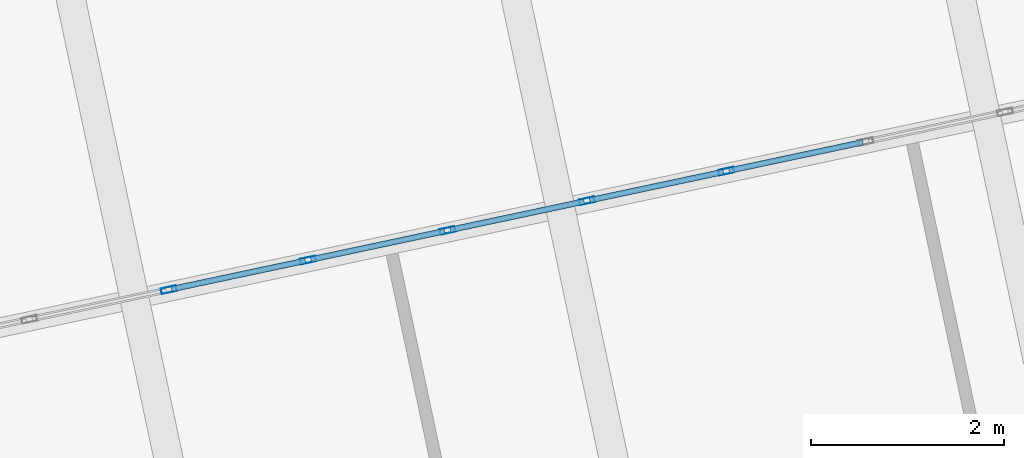
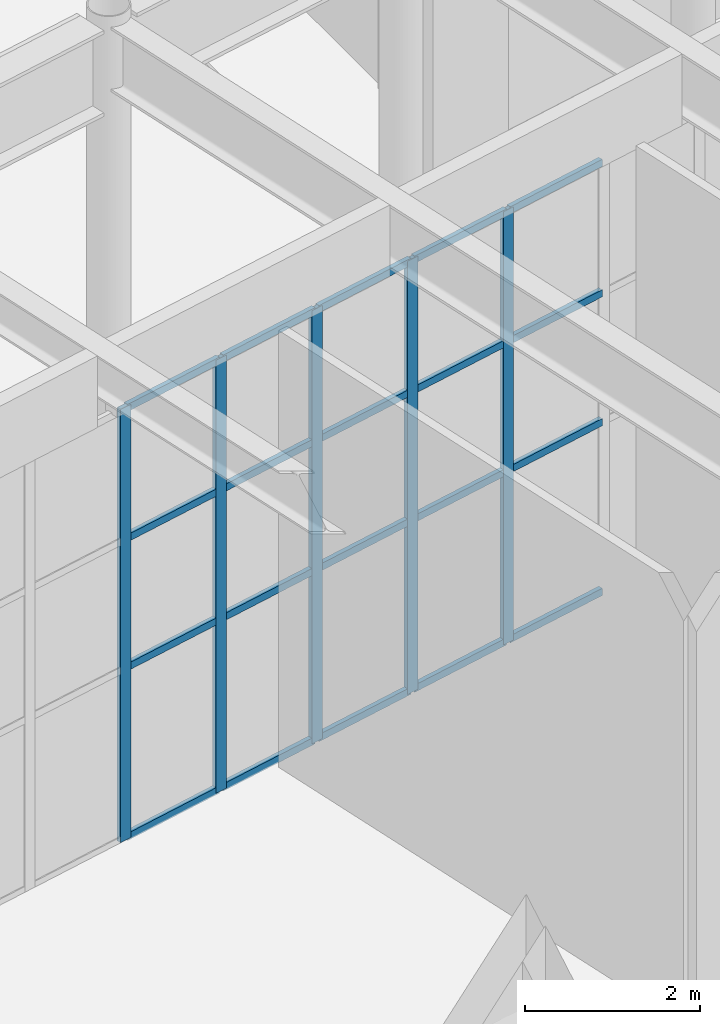
# One storey, part 87 of 239: 25 members, 1 element without a shape of its own.
"""IFC4 building model written with IfcOpenShell, lengths in metres."""

import ifcopenshell
import ifcopenshell.guid

model = None  # the IFC model being written
_history = None  # IfcOwnerHistory: only IFC2X3 demands one
_inside = {}  # id of a spatial element -> (the spatial element, [elements in it])
_under = {}  # id of a project, library or spatial element -> (it, [spatial elements below it])
_declared = {}  # id of a project -> (the project, [libraries it declares])
_typed = {}  # id of a type object -> (the type object, [elements of that type])
_made_of = {}  # id of a material, layer set ... -> (it, [elements and type objects made of it])


def new_model(schema):
    """Start an empty IFC model of exactly this schema.

    Asked for "IFC4X3", IfcOpenShell would pick the latest addendum, in which some entities
    have other attributes; the version numbers below select the first issue.
    IFC2X3 requires an IfcOwnerHistory on every rooted entity: one is made here for all.
    """
    global model, _history
    if schema == "IFC4X3":
        model = ifcopenshell.file(schema_version=(4, 3, 0, 0))
    else:
        model = ifcopenshell.file(schema=schema)
    _inside.clear()
    _under.clear()
    _declared.clear()
    _typed.clear()
    _made_of.clear()
    _history = None
    if model.schema == "IFC2X3":
        org = make("IfcOrganization", Name="unknown")
        user = make(
            "IfcPersonAndOrganization",
            ThePerson=make("IfcPerson", FamilyName="unknown"),
            TheOrganization=org,
        )
        app = make(
            "IfcApplication",
            ApplicationDeveloper=org,
            Version="unknown",
            ApplicationFullName="unknown",
            ApplicationIdentifier="unknown",
        )
        _history = make(
            "IfcOwnerHistory",
            OwningUser=user,
            OwningApplication=app,
            ChangeAction="ADDED",
            CreationDate=0,
        )
    return model


def make(cls, **values):
    """One entity of the class cls with the attributes given. An attribute that is None is left unset."""
    return model.create_entity(
        cls, **{name: value for name, value in values.items() if value is not None}
    )


def rooted(cls, **values):
    """An entity with a GlobalId (a new one), such as an element, a storey or a relation."""
    return make(cls, GlobalId=ifcopenshell.guid.new(), OwnerHistory=_history, **values)


def si_unit(unit_type, name, prefix=None):
    """IfcSIUnit, for example si_unit("LENGTHUNIT", "METRE", prefix="MILLI")."""
    return make("IfcSIUnit", UnitType=unit_type, Prefix=prefix, Name=name)


def assignment(units):
    """IfcUnitAssignment: the units of a project."""
    return None if units is None else make("IfcUnitAssignment", Units=units)


def point(xyz):
    """IfcCartesianPoint."""
    return None if xyz is None else make("IfcCartesianPoint", Coordinates=xyz)


def direction(xyz):
    """IfcDirection."""
    return None if xyz is None else make("IfcDirection", DirectionRatios=xyz)


def frame(location, z_axis=None, x_axis=None):
    """IfcAxis2Placement3D, a coordinate frame: its origin and axes. An axis left out is left unset."""
    return make(
        "IfcAxis2Placement3D",
        Location=point(location),
        Axis=direction(z_axis),
        RefDirection=direction(x_axis),
    )


def frame_2d(location, x_axis=None):
    """IfcAxis2Placement2D, a coordinate frame in the plane: its origin and x axis."""
    return make(
        "IfcAxis2Placement2D", Location=point(location), RefDirection=direction(x_axis)
    )


def origin():
    """The frame at (0, 0, 0) with its axes left unset."""
    return frame((0.0, 0.0, 0.0))


def origin_2d():
    """The frame at (0, 0) in the plane with its x axis left unset."""
    return frame_2d((0.0, 0.0))


def place(relative_to, where):
    """IfcLocalPlacement: puts the frame where relative to a parent placement (None: the world)."""
    return make(
        "IfcLocalPlacement", PlacementRelTo=relative_to, RelativePlacement=where
    )


def context(
    kind, dimensions, precision=None, world=None, true_north=None, identifier=None
):
    """IfcGeometricRepresentationContext, for example the 3D "Model" context."""
    return make(
        "IfcGeometricRepresentationContext",
        ContextIdentifier=identifier,
        ContextType=kind,
        CoordinateSpaceDimension=dimensions,
        Precision=precision,
        WorldCoordinateSystem=world,
        TrueNorth=true_north,
    )


def subcontext(parent, identifier, kind, view, scale=None):
    """IfcGeometricRepresentationSubContext, for example "Body" below "Model"."""
    return make(
        "IfcGeometricRepresentationSubContext",
        ContextIdentifier=identifier,
        ContextType=kind,
        ParentContext=parent,
        TargetScale=scale,
        TargetView=view,
    )


def project(units=None, contexts=None):
    """IfcProject with its units and contexts."""
    return rooted(
        "IfcProject",
        Name="project",
        RepresentationContexts=contexts,
        UnitsInContext=assignment(units),
    )


def spatial(cls, under=None, at=None, **own):
    """A site, building, storey or space (cls), placed at a placement, below another one or the project."""
    s = rooted(cls, ObjectPlacement=at, **own)
    if under is not None:
        _under.setdefault(under.id(), (under, []))[1].append(s)
    return s


def profile(cls, at=None, kind="AREA", **sizes):
    """A parametric profile (cls). Its sizes go by their IFC names, for example OverallWidth=200.0."""
    return make(cls, ProfileType=kind, Position=at, **sizes)


def hollow_rectangle(**sizes):
    """IfcRectangleHollowProfileDef."""
    return profile("IfcRectangleHollowProfileDef", **sizes)


def extrude(swept, where, along, depth):
    """IfcExtrudedAreaSolid: the profile swept, set in the frame where, extruded along a direction by depth."""
    return make(
        "IfcExtrudedAreaSolid",
        SweptArea=swept,
        Position=where,
        ExtrudedDirection=direction(along),
        Depth=depth,
    )


def shape(context_of_items, identifier, shape_type, items):
    """IfcShapeRepresentation: the items that make up one representation, for example the "Body"."""
    return make(
        "IfcShapeRepresentation",
        ContextOfItems=context_of_items,
        RepresentationIdentifier=identifier,
        RepresentationType=shape_type,
        Items=items,
    )


def material(Name=None, Category=None):
    """IfcMaterial."""
    return make("IfcMaterial", Name=Name, Category=Category)


def material_profile(
    of_material, cross_section, Name=None, Category=None, Priority=None
):
    """IfcMaterialProfile: a cross section and its material."""
    return make(
        "IfcMaterialProfile",
        Name=Name,
        Material=of_material,
        Profile=cross_section,
        Priority=Priority,
        Category=Category,
    )


def profile_set(profiles, Name=None, composite=None):
    """IfcMaterialProfileSet."""
    return make(
        "IfcMaterialProfileSet",
        Name=Name,
        MaterialProfiles=profiles,
        CompositeProfile=composite,
    )


def made_of(thing, what):
    """Note that an element or type object is made of a material, layer set ...; save() writes the relation."""
    if what is not None:
        _made_of.setdefault(what.id(), (what, []))[1].append(thing)
    return thing


def type_object(cls, material=None, **own):
    """A type object (cls), such as IfcWallType, which elements share."""
    return made_of(rooted(cls, **own), material)


def element(
    cls,
    number,
    at=None,
    inside=None,
    cuts=None,
    type_object=None,
    material=None,
    context=None,
    identifier="Body",
    shape_type=None,
    held_by="IfcProductDefinitionShape",
    body=None,
    shapes=None,
    **own,
):
    """One element of the class cls, such as IfcWall. Its Tag is "e" and its number.

    at: its placement. inside: the storey or other place that contains it. cuts: it is an
    opening in that element (IfcRelVoidsElement). A single representation is given by context,
    identifier, shape_type and body (its items); several are given by shapes. held_by: the class
    of the entity that holds the representations. save() writes the other relations.
    """
    e = rooted(cls, Tag="e%d" % number, ObjectPlacement=at, **own)
    if body is not None:
        shapes = [shape(context, identifier, shape_type, body)]
    if shapes is not None:
        e.Representation = make(held_by, Representations=shapes)
    if inside is not None:
        _inside.setdefault(inside.id(), (inside, []))[1].append(e)
    if cuts is not None:
        rooted(
            "IfcRelVoidsElement", RelatingBuildingElement=cuts, RelatedOpeningElement=e
        )
    if type_object is not None:
        _typed.setdefault(type_object.id(), (type_object, []))[1].append(e)
    return made_of(e, material)


def aggregate(whole, parts):
    """IfcRelAggregates: a whole, such as a stair, and the parts it consists of."""
    return rooted("IfcRelAggregates", RelatingObject=whole, RelatedObjects=parts)


def save(model, path):
    """Write the relations noted so far, then the file.

    IfcRelAggregates (storeys below a building ...), IfcRelContainedInSpatialStructure (elements
    in a storey), IfcRelDefinesByType, IfcRelAssociatesMaterial and IfcRelDeclares: one each for
    every whole, place, type object, material and project.
    """
    for whole, parts in _under.values():
        aggregate(whole, parts)
    for where, things in _inside.values():
        rooted(
            "IfcRelContainedInSpatialStructure",
            RelatedElements=things,
            RelatingStructure=where,
        )
    for kind, things in _typed.values():
        rooted("IfcRelDefinesByType", RelatedObjects=things, RelatingType=kind)
    for what, things in _made_of.values():
        rooted("IfcRelAssociatesMaterial", RelatedObjects=things, RelatingMaterial=what)
    for by, libraries in _declared.values():
        rooted("IfcRelDeclares", RelatingContext=by, RelatedDefinitions=libraries)
    model.write(path)


model = new_model("IFC4")

# Units and contexts
model_context = context("Model", 3, precision=1e-05, world=origin(), true_north=direction((0.0, 1.0)))
body_context = subcontext(model_context, "Body", "Model", "MODEL_VIEW")
ifc_project = project(units=[si_unit("LENGTHUNIT", "METRE"), si_unit("AREAUNIT", "SQUARE_METRE"), si_unit("VOLUMEUNIT", "CUBIC_METRE"), si_unit("PLANEANGLEUNIT", "RADIAN"), si_unit("MASSUNIT", "GRAM", prefix="KILO")], contexts=[model_context])

# Site, building, storey
site_placement = place(None, origin())
site = spatial("IfcSite", under=ifc_project, at=site_placement, CompositionType="ELEMENT")
building_placement = place(site_placement, origin())
building = spatial("IfcBuilding", under=site, at=building_placement, Name="Okhra Congress Centre", CompositionType="ELEMENT")
storey_placement = place(building_placement, origin())
storey = spatial("IfcBuildingStorey", under=building, at=storey_placement, Name="L00", CompositionType="ELEMENT", Elevation=0.0)

# Curtain wall, members
ifc_material_1 = material(Name="Aluminium curtain wall, triple glazing", Category="aluminium")
curtain_wall_type = type_object("IfcCurtainWallType", Name="Curtain wall 1500 module", PredefinedType="NOTDEFINED", material=ifc_material_1)
curtain_wall_placement = place(storey_placement, origin())
curtain_wall = element("IfcCurtainWall", 1, at=curtain_wall_placement, inside=storey, type_object=curtain_wall_type, Name="Ground curtain wall N9", PredefinedType="NOTDEFINED")
ifc_material_2 = material(Name="Aluminium alloy EN AW-6063 T66", Category="aluminium")
ifc_material_profile_1 = material_profile(ifc_material_2, hollow_rectangle(XDim=0.06005859375, YDim=0.159912109375, WallThickness=0.00390625, at=origin_2d()), Name="RHS 60x160x4")
ifc_profile_set_1 = profile_set([ifc_material_profile_1], Name="Aluminium alloy EN AW-6063 T66")
member_type_1 = type_object("IfcMemberType", Name="Curtain wall mullion 60x160", PredefinedType="MULLION", material=ifc_profile_set_1)
member_1_placement = place(storey_placement, frame((145.4208984375, 64.32373046875, 0.0), z_axis=(0.0, 0.0, 1.0), x_axis=(-0.207911690818, 0.978147600734, 0.0)))
member_1 = element("IfcMember", 2, at=member_1_placement, type_object=member_type_1, Name="CW7 mullion 6", PredefinedType="MULLION", context=body_context, shape_type="SweptSolid", body=[
    extrude(hollow_rectangle(XDim=0.06005859375, YDim=0.159912109375, WallThickness=0.00390625, at=origin_2d()), origin(), (0.0, 0.0, 1.0), 6.050048828125),
])
member_2_placement = place(storey_placement, frame((146.861572265625, 64.630126953125, 0.0), z_axis=(0.0, 0.0, 1.0), x_axis=(-0.207911690818, 0.978147600734, 0.0)))
member_2 = element("IfcMember", 3, at=member_2_placement, type_object=member_type_1, Name="CW7 mullion 7", PredefinedType="MULLION", context=body_context, shape_type="SweptSolid", body=[
    extrude(hollow_rectangle(XDim=0.06005859375, YDim=0.159912109375, WallThickness=0.00390625, at=origin_2d()), origin(), (0.0, 0.0, 1.0), 6.050048828125),
])
member_3_placement = place(storey_placement, frame((148.302490234375, 64.936279296875, 0.0), z_axis=(0.0, 0.0, 1.0), x_axis=(-0.207911690818, 0.978147600734, 0.0)))
member_3 = element("IfcMember", 4, at=member_3_placement, type_object=member_type_1, Name="CW7 mullion 8", PredefinedType="MULLION", context=body_context, shape_type="SweptSolid", body=[
    extrude(hollow_rectangle(XDim=0.06005859375, YDim=0.159912109375, WallThickness=0.00390625, at=origin_2d()), origin(), (0.0, 0.0, 1.0), 6.050048828125),
])
member_4_placement = place(storey_placement, frame((149.7431640625, 65.24267578125, 0.0), z_axis=(0.0, 0.0, 1.0), x_axis=(-0.207911690818, 0.978147600734, 0.0)))
member_4 = element("IfcMember", 5, at=member_4_placement, type_object=member_type_1, Name="CW7 mullion 9", PredefinedType="MULLION", context=body_context, shape_type="SweptSolid", body=[
    extrude(hollow_rectangle(XDim=0.06005859375, YDim=0.159912109375, WallThickness=0.00390625, at=origin_2d()), origin(), (0.0, 0.0, 1.0), 6.050048828125),
])
member_5_placement = place(storey_placement, frame((151.18408203125, 65.548828125, 0.0), z_axis=(0.0, 0.0, 1.0), x_axis=(-0.207911690818, 0.978147600734, 0.0)))
member_5 = element("IfcMember", 6, at=member_5_placement, type_object=member_type_1, Name="CW7 mullion 10", PredefinedType="MULLION", context=body_context, shape_type="SweptSolid", body=[
    extrude(hollow_rectangle(XDim=0.06005859375, YDim=0.159912109375, WallThickness=0.00390625, at=origin_2d()), origin(), (0.0, 0.0, 1.0), 6.050048828125),
])
ifc_material_profile_2 = material_profile(ifc_material_2, hollow_rectangle(XDim=0.06005859375, YDim=0.10009765625, WallThickness=0.00390625, at=origin_2d()), Name="RHS 60x100x4")
ifc_profile_set_2 = profile_set([ifc_material_profile_2], Name="Aluminium alloy EN AW-6063 T66")
member_type_2 = type_object("IfcMemberType", Name="Curtain wall transom 60x100", PredefinedType="USERDEFINED", material=ifc_profile_set_2)
member_6_placement = place(storey_placement, frame((145.4501953125, 64.330078125, 0.030029296875), z_axis=(0.978157533477, 0.207864955445, 0.0), x_axis=(-0.207864955445, 0.978157533477, 0.0)))
member_6 = element("IfcMember", 7, at=member_6_placement, type_object=member_type_2, Name="CW7 transom 6.1", ObjectType="TRANSOM", PredefinedType="USERDEFINED", context=body_context, shape_type="SweptSolid", body=[
    extrude(hollow_rectangle(XDim=0.06005859375, YDim=0.10009765625, WallThickness=0.00390625, at=origin_2d()), origin(), (0.0, 0.0, 1.0), 1.412841796875),
])
member_7_placement = place(storey_placement, frame((145.4501953125, 64.330078125, 2.39990234375), z_axis=(0.978157533477, 0.207864955445, 0.0), x_axis=(-0.207864955445, 0.978157533477, 0.0)))
member_7 = element("IfcMember", 8, at=member_7_placement, type_object=member_type_2, Name="CW7 transom 6.2", ObjectType="TRANSOM", PredefinedType="USERDEFINED", context=body_context, shape_type="SweptSolid", body=[
    extrude(hollow_rectangle(XDim=0.06005859375, YDim=0.10009765625, WallThickness=0.00390625, at=origin_2d()), origin(), (0.0, 0.0, 1.0), 1.412841796875),
])
member_8_placement = place(storey_placement, frame((145.4501953125, 64.330078125, 4.199951171875), z_axis=(0.978157533477, 0.207864955445, 0.0), x_axis=(-0.207864955445, 0.978157533477, 0.0)))
member_8 = element("IfcMember", 9, at=member_8_placement, type_object=member_type_2, Name="CW7 transom 6.3", ObjectType="TRANSOM", PredefinedType="USERDEFINED", context=body_context, shape_type="SweptSolid", body=[
    extrude(hollow_rectangle(XDim=0.06005859375, YDim=0.10009765625, WallThickness=0.00390625, at=origin_2d()), origin(), (0.0, 0.0, 1.0), 1.412841796875),
])
member_9_placement = place(storey_placement, frame((145.4501953125, 64.330078125, 6.02001953125), z_axis=(0.978157533477, 0.207864955445, 0.0), x_axis=(-0.207864955445, 0.978157533477, 0.0)))
member_9 = element("IfcMember", 10, at=member_9_placement, type_object=member_type_2, Name="CW7 transom 6.4", ObjectType="TRANSOM", PredefinedType="USERDEFINED", context=body_context, shape_type="SweptSolid", body=[
    extrude(hollow_rectangle(XDim=0.06005859375, YDim=0.10009765625, WallThickness=0.00390625, at=origin_2d()), origin(), (0.0, 0.0, 1.0), 1.412841796875),
])
member_10_placement = place(storey_placement, frame((146.890869140625, 64.63623046875, 0.030029296875), z_axis=(0.978129864086, 0.20799511769, 0.0), x_axis=(-0.20799511769, 0.978129864086, 0.0)))
member_10 = element("IfcMember", 11, at=member_10_placement, type_object=member_type_2, Name="CW7 transom 7.1", ObjectType="TRANSOM", PredefinedType="USERDEFINED", context=body_context, shape_type="SweptSolid", body=[
    extrude(hollow_rectangle(XDim=0.06005859375, YDim=0.10009765625, WallThickness=0.00390625, at=origin_2d()), origin(), (0.0, 0.0, 1.0), 1.413330078125),
])
member_11_placement = place(storey_placement, frame((146.890869140625, 64.63623046875, 2.39990234375), z_axis=(0.978129864086, 0.20799511769, 0.0), x_axis=(-0.20799511769, 0.978129864086, 0.0)))
member_11 = element("IfcMember", 12, at=member_11_placement, type_object=member_type_2, Name="CW7 transom 7.2", ObjectType="TRANSOM", PredefinedType="USERDEFINED", context=body_context, shape_type="SweptSolid", body=[
    extrude(hollow_rectangle(XDim=0.06005859375, YDim=0.10009765625, WallThickness=0.00390625, at=origin_2d()), origin(), (0.0, 0.0, 1.0), 1.413330078125),
])
member_12_placement = place(storey_placement, frame((146.890869140625, 64.63623046875, 4.199951171875), z_axis=(0.978129864086, 0.20799511769, 0.0), x_axis=(-0.20799511769, 0.978129864086, 0.0)))
member_12 = element("IfcMember", 13, at=member_12_placement, type_object=member_type_2, Name="CW7 transom 7.3", ObjectType="TRANSOM", PredefinedType="USERDEFINED", context=body_context, shape_type="SweptSolid", body=[
    extrude(hollow_rectangle(XDim=0.06005859375, YDim=0.10009765625, WallThickness=0.00390625, at=origin_2d()), origin(), (0.0, 0.0, 1.0), 1.413330078125),
])
member_13_placement = place(storey_placement, frame((146.890869140625, 64.63623046875, 6.02001953125), z_axis=(0.978129864086, 0.20799511769, 0.0), x_axis=(-0.20799511769, 0.978129864086, 0.0)))
member_13 = element("IfcMember", 14, at=member_13_placement, type_object=member_type_2, Name="CW7 transom 7.4", ObjectType="TRANSOM", PredefinedType="USERDEFINED", context=body_context, shape_type="SweptSolid", body=[
    extrude(hollow_rectangle(XDim=0.06005859375, YDim=0.10009765625, WallThickness=0.00390625, at=origin_2d()), origin(), (0.0, 0.0, 1.0), 1.413330078125),
])
member_14_placement = place(storey_placement, frame((148.331787109375, 64.942626953125, 0.030029296875), z_axis=(0.978157533477, 0.207864955445, 0.0), x_axis=(-0.207864955445, 0.978157533477, 0.0)))
member_14 = element("IfcMember", 15, at=member_14_placement, type_object=member_type_2, Name="CW7 transom 8.1", ObjectType="TRANSOM", PredefinedType="USERDEFINED", context=body_context, shape_type="SweptSolid", body=[
    extrude(hollow_rectangle(XDim=0.06005859375, YDim=0.10009765625, WallThickness=0.00390625, at=origin_2d()), origin(), (0.0, 0.0, 1.0), 1.412841796875),
])
member_15_placement = place(storey_placement, frame((148.331787109375, 64.942626953125, 2.39990234375), z_axis=(0.978157533477, 0.207864955445, 0.0), x_axis=(-0.207864955445, 0.978157533477, 0.0)))
member_15 = element("IfcMember", 16, at=member_15_placement, type_object=member_type_2, Name="CW7 transom 8.2", ObjectType="TRANSOM", PredefinedType="USERDEFINED", context=body_context, shape_type="SweptSolid", body=[
    extrude(hollow_rectangle(XDim=0.06005859375, YDim=0.10009765625, WallThickness=0.00390625, at=origin_2d()), origin(), (0.0, 0.0, 1.0), 1.412841796875),
])
member_16_placement = place(storey_placement, frame((148.331787109375, 64.942626953125, 4.199951171875), z_axis=(0.978157533477, 0.207864955445, 0.0), x_axis=(-0.207864955445, 0.978157533477, 0.0)))
member_16 = element("IfcMember", 17, at=member_16_placement, type_object=member_type_2, Name="CW7 transom 8.3", ObjectType="TRANSOM", PredefinedType="USERDEFINED", context=body_context, shape_type="SweptSolid", body=[
    extrude(hollow_rectangle(XDim=0.06005859375, YDim=0.10009765625, WallThickness=0.00390625, at=origin_2d()), origin(), (0.0, 0.0, 1.0), 1.412841796875),
])
member_17_placement = place(storey_placement, frame((148.331787109375, 64.942626953125, 6.02001953125), z_axis=(0.978157533477, 0.207864955445, 0.0), x_axis=(-0.207864955445, 0.978157533477, 0.0)))
member_17 = element("IfcMember", 18, at=member_17_placement, type_object=member_type_2, Name="CW7 transom 8.4", ObjectType="TRANSOM", PredefinedType="USERDEFINED", context=body_context, shape_type="SweptSolid", body=[
    extrude(hollow_rectangle(XDim=0.06005859375, YDim=0.10009765625, WallThickness=0.00390625, at=origin_2d()), origin(), (0.0, 0.0, 1.0), 1.412841796875),
])
member_18_placement = place(storey_placement, frame((149.772705078125, 65.248779296875, 0.030029296875), z_axis=(0.978157533477, 0.207864955445, 0.0), x_axis=(-0.207864955445, 0.978157533477, 0.0)))
member_18 = element("IfcMember", 19, at=member_18_placement, type_object=member_type_2, Name="CW7 transom 9.1", ObjectType="TRANSOM", PredefinedType="USERDEFINED", context=body_context, shape_type="SweptSolid", body=[
    extrude(hollow_rectangle(XDim=0.06005859375, YDim=0.10009765625, WallThickness=0.00390625, at=origin_2d()), origin(), (0.0, 0.0, 1.0), 1.412841796875),
])
member_19_placement = place(storey_placement, frame((149.772705078125, 65.248779296875, 2.39990234375), z_axis=(0.978157533477, 0.207864955445, 0.0), x_axis=(-0.207864955445, 0.978157533477, 0.0)))
member_19 = element("IfcMember", 20, at=member_19_placement, type_object=member_type_2, Name="CW7 transom 9.2", ObjectType="TRANSOM", PredefinedType="USERDEFINED", context=body_context, shape_type="SweptSolid", body=[
    extrude(hollow_rectangle(XDim=0.06005859375, YDim=0.10009765625, WallThickness=0.00390625, at=origin_2d()), origin(), (0.0, 0.0, 1.0), 1.412841796875),
])
member_20_placement = place(storey_placement, frame((149.772705078125, 65.248779296875, 4.199951171875), z_axis=(0.978157533477, 0.207864955445, 0.0), x_axis=(-0.207864955445, 0.978157533477, 0.0)))
member_20 = element("IfcMember", 21, at=member_20_placement, type_object=member_type_2, Name="CW7 transom 9.3", ObjectType="TRANSOM", PredefinedType="USERDEFINED", context=body_context, shape_type="SweptSolid", body=[
    extrude(hollow_rectangle(XDim=0.06005859375, YDim=0.10009765625, WallThickness=0.00390625, at=origin_2d()), origin(), (0.0, 0.0, 1.0), 1.412841796875),
])
member_21_placement = place(storey_placement, frame((149.772705078125, 65.248779296875, 6.02001953125), z_axis=(0.978157533477, 0.207864955445, 0.0), x_axis=(-0.207864955445, 0.978157533477, 0.0)))
member_21 = element("IfcMember", 22, at=member_21_placement, type_object=member_type_2, Name="CW7 transom 9.4", ObjectType="TRANSOM", PredefinedType="USERDEFINED", context=body_context, shape_type="SweptSolid", body=[
    extrude(hollow_rectangle(XDim=0.06005859375, YDim=0.10009765625, WallThickness=0.00390625, at=origin_2d()), origin(), (0.0, 0.0, 1.0), 1.412841796875),
])
member_22_placement = place(storey_placement, frame((151.21337890625, 65.55517578125, 0.030029296875), z_axis=(0.978157533477, 0.207864955445, 0.0), x_axis=(-0.207864955445, 0.978157533477, 0.0)))
member_22 = element("IfcMember", 23, at=member_22_placement, type_object=member_type_2, Name="CW7 transom 10.1", ObjectType="TRANSOM", PredefinedType="USERDEFINED", context=body_context, shape_type="SweptSolid", body=[
    extrude(hollow_rectangle(XDim=0.06005859375, YDim=0.10009765625, WallThickness=0.00390625, at=origin_2d()), origin(), (0.0, 0.0, 1.0), 1.412841796875),
])
member_23_placement = place(storey_placement, frame((151.21337890625, 65.55517578125, 2.39990234375), z_axis=(0.978157533477, 0.207864955445, 0.0), x_axis=(-0.207864955445, 0.978157533477, 0.0)))
member_23 = element("IfcMember", 24, at=member_23_placement, type_object=member_type_2, Name="CW7 transom 10.2", ObjectType="TRANSOM", PredefinedType="USERDEFINED", context=body_context, shape_type="SweptSolid", body=[
    extrude(hollow_rectangle(XDim=0.06005859375, YDim=0.10009765625, WallThickness=0.00390625, at=origin_2d()), origin(), (0.0, 0.0, 1.0), 1.412841796875),
])
member_24_placement = place(storey_placement, frame((151.21337890625, 65.55517578125, 4.199951171875), z_axis=(0.978157533477, 0.207864955445, 0.0), x_axis=(-0.207864955445, 0.978157533477, 0.0)))
member_24 = element("IfcMember", 25, at=member_24_placement, type_object=member_type_2, Name="CW7 transom 10.3", ObjectType="TRANSOM", PredefinedType="USERDEFINED", context=body_context, shape_type="SweptSolid", body=[
    extrude(hollow_rectangle(XDim=0.06005859375, YDim=0.10009765625, WallThickness=0.00390625, at=origin_2d()), origin(), (0.0, 0.0, 1.0), 1.412841796875),
])
member_25_placement = place(storey_placement, frame((151.21337890625, 65.55517578125, 6.02001953125), z_axis=(0.978157533477, 0.207864955445, 0.0), x_axis=(-0.207864955445, 0.978157533477, 0.0)))
member_25 = element("IfcMember", 26, at=member_25_placement, type_object=member_type_2, Name="CW7 transom 10.4", ObjectType="TRANSOM", PredefinedType="USERDEFINED", context=body_context, shape_type="SweptSolid", body=[
    extrude(hollow_rectangle(XDim=0.06005859375, YDim=0.10009765625, WallThickness=0.00390625, at=origin_2d()), origin(), (0.0, 0.0, 1.0), 1.412841796875),
])
aggregate(curtain_wall, [member_1, member_2, member_3, member_4, member_5, member_6, member_7, member_8, member_9, member_10, member_11, member_12, member_13, member_14, member_15, member_16, member_17, member_18, member_19, member_20, member_21, member_22, member_23, member_24, member_25])

save(model, "model.ifc")
